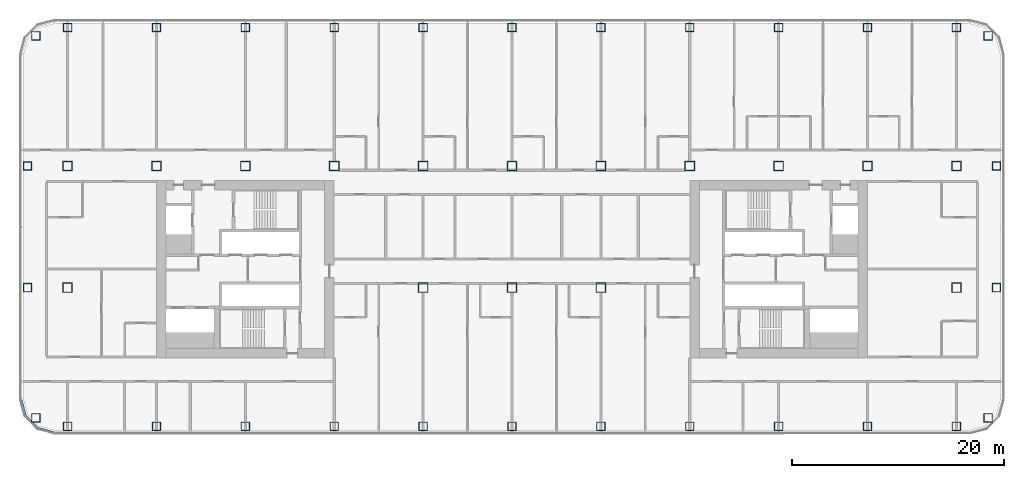
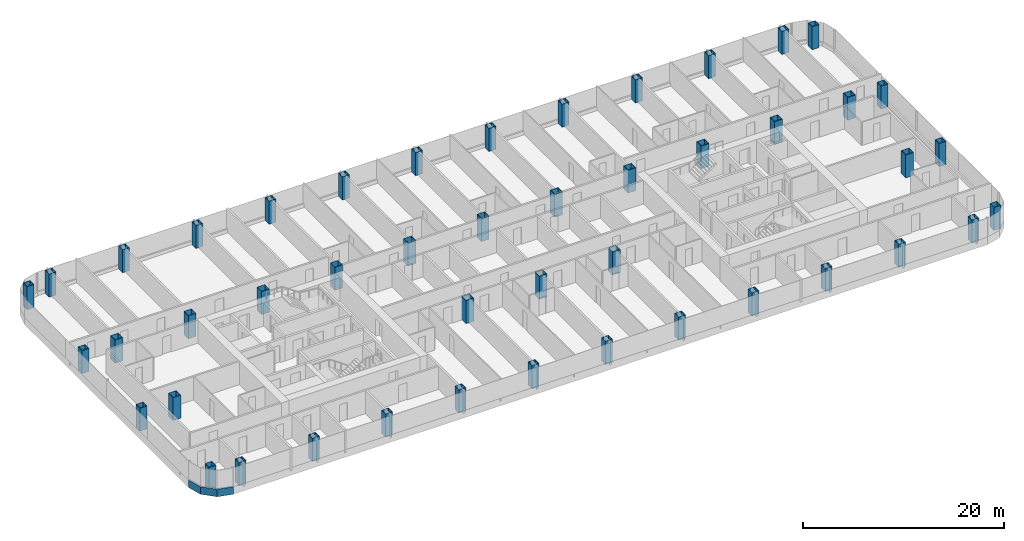
# One storey, part 1 of 29: 46 columns, 1 member, 1 element without a shape of its own.
"""IFC4 building model written with IfcOpenShell, lengths in metres."""

from ifc_helpers import new_model, si_unit, direction, frame, origin, origin_2d, place, context, subcontext, project, spatial, polyline, rectangle, hollow_rectangle, outline, extrude, material, layer, layer_set, material_profile, profile_set, type_object, element, aggregate, save


model = new_model("IFC4")

# Units and contexts
model_context = context("Model", 3, precision=1e-05, world=origin(), true_north=direction((0.0, 1.0)))
body_context = subcontext(model_context, "Body", "Model", "MODEL_VIEW")
ifc_project = project(units=[si_unit("LENGTHUNIT", "METRE"), si_unit("AREAUNIT", "SQUARE_METRE"), si_unit("VOLUMEUNIT", "CUBIC_METRE"), si_unit("PLANEANGLEUNIT", "RADIAN"), si_unit("MASSUNIT", "GRAM", prefix="KILO")], contexts=[model_context])

# Site, building, storey
site_placement = place(None, origin())
site = spatial("IfcSite", under=ifc_project, at=site_placement, CompositionType="ELEMENT")
building_placement = place(site_placement, origin())
building = spatial("IfcBuilding", under=site, at=building_placement, Name="Hakoniwa Tower and Hamabe Station Hall", CompositionType="ELEMENT")
storey_placement = place(building_placement, frame((0.0, 0.0, 104.199951171875)))
storey = spatial("IfcBuildingStorey", under=building, at=storey_placement, Name="L29", CompositionType="ELEMENT", Elevation=104.199951171875)

# Columns
ifc_material_1 = material(Name="Steel SN490C", Category="steel")
ifc_material_profile_1 = material_profile(ifc_material_1, hollow_rectangle(XDim=0.800048828125, YDim=0.800048828125, WallThickness=0.031982421875, at=origin_2d()), Name="BX-800x800x32")
ifc_profile_set_1 = profile_set([ifc_material_profile_1], Name="Steel SN490C")
column_type_1 = type_object("IfcColumnType", Name="COLUMN BX-800x800x32", PredefinedType="COLUMN", material=ifc_profile_set_1)
for number, where, z_axis, x_axis, name in (
    (1, (-45.003173828125, -14.052978515625, 0.0), (0.0, 0.0, 1.0), (1.0, 0.0, 0.0), "Column B2-EW-A2"),
    (2, (-45.800048828125, -1.75, 0.0), (0.0, 0.0, 1.0), (1.0, 0.0, 0.0), "Column B2-EW-C2"),
    (3, (-45.800048828125, 9.75, 0.0), (0.0, 0.0, 1.0), (1.0, 0.0, 0.0), "Column B2-EW-E2"),
    (4, (-45.003173828125, 22.052978515625, 0.0), (0.0, 0.0, 1.0), (1.0, 0.0, 0.0), "Column B2-EW-G2"),
    (5, (-42.0, -14.85009765625, 0.0), (0.0, 0.0, 1.0), (1.0, 0.0, 0.0), "Column B2-2-A2"),
    (6, (-42.0, 22.85009765625, 0.0), (0.0, 0.0, 1.0), (1.0, 0.0, 0.0), "Column B2-2-G2"),
    (7, (-33.60009765625, -14.85009765625, 0.0), (0.0, 0.0, 1.0), (1.0, 0.0, 0.0), "Column B2-3-A2"),
    (8, (-33.60009765625, 22.85009765625, 0.0), (0.0, 0.0, 1.0), (1.0, 0.0, 0.0), "Column B2-3-G2"),
    (9, (-25.199951171875, -14.85009765625, 0.0), (0.0, 0.0, 1.0), (1.0, 0.0, 0.0), "Column B2-4-A2"),
    (10, (-25.199951171875, 22.85009765625, 0.0), (0.0, 0.0, 1.0), (1.0, 0.0, 0.0), "Column B2-4-G2"),
    (11, (-16.800048828125, -14.85009765625, 0.0), (0.0, 0.0, 1.0), (1.0, 0.0, 0.0), "Column B2-5-A2"),
    (12, (-16.800048828125, 22.85009765625, 0.0), (0.0, 0.0, 1.0), (1.0, 0.0, 0.0), "Column B2-5-G2"),
    (13, (-8.39990234375, -14.85009765625, 0.0), (0.0, 0.0, 1.0), (1.0, 0.0, 0.0), "Column B2-6-A2"),
    (14, (-8.39990234375, 22.85009765625, 0.0), (0.0, 0.0, 1.0), (1.0, 0.0, 0.0), "Column B2-6-G2"),
    (15, (0.0, -14.85009765625, 0.0), (0.0, 0.0, 1.0), (1.0, 0.0, 0.0), "Column B2-7-A2"),
    (16, (0.0, 22.85009765625, 0.0), (0.0, 0.0, 1.0), (1.0, 0.0, 0.0), "Column B2-7-G2"),
    (17, (8.39990234375, -14.85009765625, 0.0), (0.0, 0.0, 1.0), (1.0, 0.0, 0.0), "Column B2-8-A2"),
    (18, (8.39990234375, 22.85009765625, 0.0), (0.0, 0.0, 1.0), (1.0, 0.0, 0.0), "Column B2-8-G2"),
    (19, (16.800048828125, -14.85009765625, 0.0), (0.0, 0.0, 1.0), (1.0, 0.0, 0.0), "Column B2-9-A2"),
    (20, (16.800048828125, 22.85009765625, 0.0), (0.0, 0.0, 1.0), (1.0, 0.0, 0.0), "Column B2-9-G2"),
    (21, (25.199951171875, -14.85009765625, 0.0), (0.0, 0.0, 1.0), (1.0, 0.0, 0.0), "Column B2-10-A2"),
    (22, (25.199951171875, 22.85009765625, 0.0), (0.0, 0.0, 1.0), (1.0, 0.0, 0.0), "Column B2-10-G2"),
    (23, (33.60009765625, -14.85009765625, 0.0), (0.0, 0.0, 1.0), (1.0, 0.0, 0.0), "Column B2-11-A2"),
    (24, (33.60009765625, 22.85009765625, 0.0), (0.0, 0.0, 1.0), (1.0, 0.0, 0.0), "Column B2-11-G2"),
    (25, (42.0, -14.85009765625, 0.0), (0.0, 0.0, 1.0), (1.0, 0.0, 0.0), "Column B2-12-A2"),
    (26, (42.0, 22.85009765625, 0.0), (0.0, 0.0, 1.0), (1.0, 0.0, 0.0), "Column B2-12-G2"),
    (27, (45.003173828125, -14.052978515625, 0.0), (0.0, 0.0, 1.0), (1.0, 0.0, 0.0), "Column B2-EE-A2"),
    (28, (45.800048828125, -1.75, 0.0), (0.0, 0.0, 1.0), (1.0, 0.0, 0.0), "Column B2-EE-C2"),
    (29, (45.800048828125, 9.75, 0.0), (0.0, 0.0, 1.0), (1.0, 0.0, 0.0), "Column B2-EE-E2"),
    (30, (45.003173828125, 22.052978515625, 0.0), (0.0, 0.0, 1.0), (1.0, 0.0, 0.0), "Column B2-EE-G2"),
):
    element("IfcColumn", number, at=place(storey_placement, frame(where, z_axis=z_axis, x_axis=x_axis)), inside=storey, type_object=column_type_1, Name=name, PredefinedType="COLUMN", context=body_context, shape_type="SweptSolid", body=[
        extrude(hollow_rectangle(XDim=0.800048828125, YDim=0.800048828125, WallThickness=0.031982421875, at=origin_2d()), origin(), (0.0, 0.0, 1.0), 2.800048828125),
    ])
ifc_material_2 = material(Name="Steel SN490C", Category="steel")
ifc_material_profile_2 = material_profile(ifc_material_2, hollow_rectangle(XDim=0.89990234375, YDim=0.89990234375, WallThickness=0.035888671875, at=origin_2d()), Name="BX-900x900x36")
ifc_profile_set_2 = profile_set([ifc_material_profile_2], Name="Steel SN490C")
column_type_2 = type_object("IfcColumnType", Name="COLUMN BX-900x900x36", PredefinedType="COLUMN", material=ifc_profile_set_2)
for number, where, z_axis, x_axis, name in (
    (31, (-42.0, -1.75, 0.0), (0.0, 0.0, 1.0), (1.0, 0.0, 0.0), "Column B2-2-C2"),
    (32, (-42.0, 9.75, 0.0), (0.0, 0.0, 1.0), (1.0, 0.0, 0.0), "Column B2-2-E2"),
    (33, (-33.60009765625, 9.75, 0.0), (0.0, 0.0, 1.0), (1.0, 0.0, 0.0), "Column B2-3-E2"),
    (34, (-25.199951171875, 9.75, 0.0), (0.0, 0.0, 1.0), (1.0, 0.0, 0.0), "Column B2-4-E2"),
    (35, (-16.800048828125, 9.75, 0.0), (0.0, 0.0, 1.0), (1.0, 0.0, 0.0), "Column B2-5-E2"),
    (36, (-8.39990234375, -1.75, 0.0), (0.0, 0.0, 1.0), (1.0, 0.0, 0.0), "Column B2-6-C2"),
    (37, (-8.39990234375, 9.75, 0.0), (0.0, 0.0, 1.0), (1.0, 0.0, 0.0), "Column B2-6-E2"),
    (38, (0.0, -1.75, 0.0), (0.0, 0.0, 1.0), (1.0, 0.0, 0.0), "Column B2-7-C2"),
    (39, (0.0, 9.75, 0.0), (0.0, 0.0, 1.0), (1.0, 0.0, 0.0), "Column B2-7-E2"),
    (40, (8.39990234375, -1.75, 0.0), (0.0, 0.0, 1.0), (1.0, 0.0, 0.0), "Column B2-8-C2"),
    (41, (8.39990234375, 9.75, 0.0), (0.0, 0.0, 1.0), (1.0, 0.0, 0.0), "Column B2-8-E2"),
    (42, (16.800048828125, 9.75, 0.0), (0.0, 0.0, 1.0), (1.0, 0.0, 0.0), "Column B2-9-E2"),
    (43, (25.199951171875, 9.75, 0.0), (0.0, 0.0, 1.0), (1.0, 0.0, 0.0), "Column B2-10-E2"),
    (44, (33.60009765625, 9.75, 0.0), (0.0, 0.0, 1.0), (1.0, 0.0, 0.0), "Column B2-11-E2"),
    (45, (42.0, -1.75, 0.0), (0.0, 0.0, 1.0), (1.0, 0.0, 0.0), "Column B2-12-C2"),
    (46, (42.0, 9.75, 0.0), (0.0, 0.0, 1.0), (1.0, 0.0, 0.0), "Column B2-12-E2"),
):
    element("IfcColumn", number, at=place(storey_placement, frame(where, z_axis=z_axis, x_axis=x_axis)), inside=storey, type_object=column_type_2, Name=name, PredefinedType="COLUMN", context=body_context, shape_type="SweptSolid", body=[
        extrude(hollow_rectangle(XDim=0.89990234375, YDim=0.89990234375, WallThickness=0.035888671875, at=origin_2d()), origin(), (0.0, 0.0, 1.0), 2.800048828125),
    ])

# Curtain wall, member
ifc_material_3 = material(Name="Dark low-e laminated glass", Category="glass")
ifc_layer = layer(ifc_material_3, 0.199951171875)
ifc_layer_set = layer_set([ifc_layer], Name="CW-1 UNITISED GUEST")
curtain_wall_type = type_object("IfcCurtainWallType", Name="CW-1 UNITISED GUEST", PredefinedType="NOTDEFINED", material=ifc_layer_set)
curtain_wall_placement = place(storey_placement, origin())
curtain_wall = element("IfcCurtainWall", 47, at=curtain_wall_placement, inside=storey, type_object=curtain_wall_type, Name="CW-1 curtain wall", PredefinedType="NOTDEFINED")
ifc_material_4 = material(Name="Aluminium 6063-T5 black anodised", Category="aluminium")
ifc_material_profile_3 = material_profile(ifc_material_4, rectangle(XDim=0.199951171875, YDim=0.89990234375, at=origin_2d()), Name="CW SLAB-EDGE BAND 900X200")
ifc_profile_set_3 = profile_set([ifc_material_profile_3], Name="Aluminium 6063-T5 black anodised")
member_type = type_object("IfcMemberType", Name="CW SLAB-EDGE BAND 900X200", PredefinedType="USERDEFINED", material=ifc_profile_set_3)
member_placement = place(storey_placement, frame((0.0, 0.0, -0.550048828125)))
member = element("IfcMember", 48, at=member_placement, type_object=member_type, Name="CW-1 transom", ObjectType="TRANSOM", PredefinedType="USERDEFINED", context=body_context, shape_type="SweptSolid", body=[
    extrude(outline(polyline([(-46.5, -12.28955078125), (-46.067138671875, -13.9052734375), (-44.855224609375, -15.116943359375), (-43.239501953125, -15.550048828125), (-43.187744140625, -15.35693359375), (-44.751708984375, -14.937744140625), (-45.8876953125, -13.8017578125), (-46.306884765625, -12.23779296875), (-46.5, -12.28955078125)])), origin(), (0.0, 0.0, 1.0), 0.900146484375),
])
aggregate(curtain_wall, [member])

save(model, "model.ifc")
